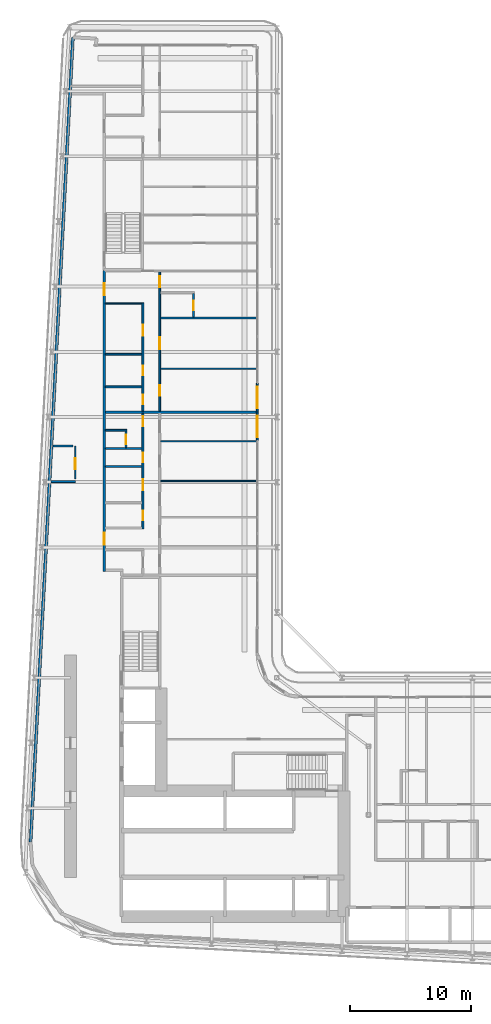
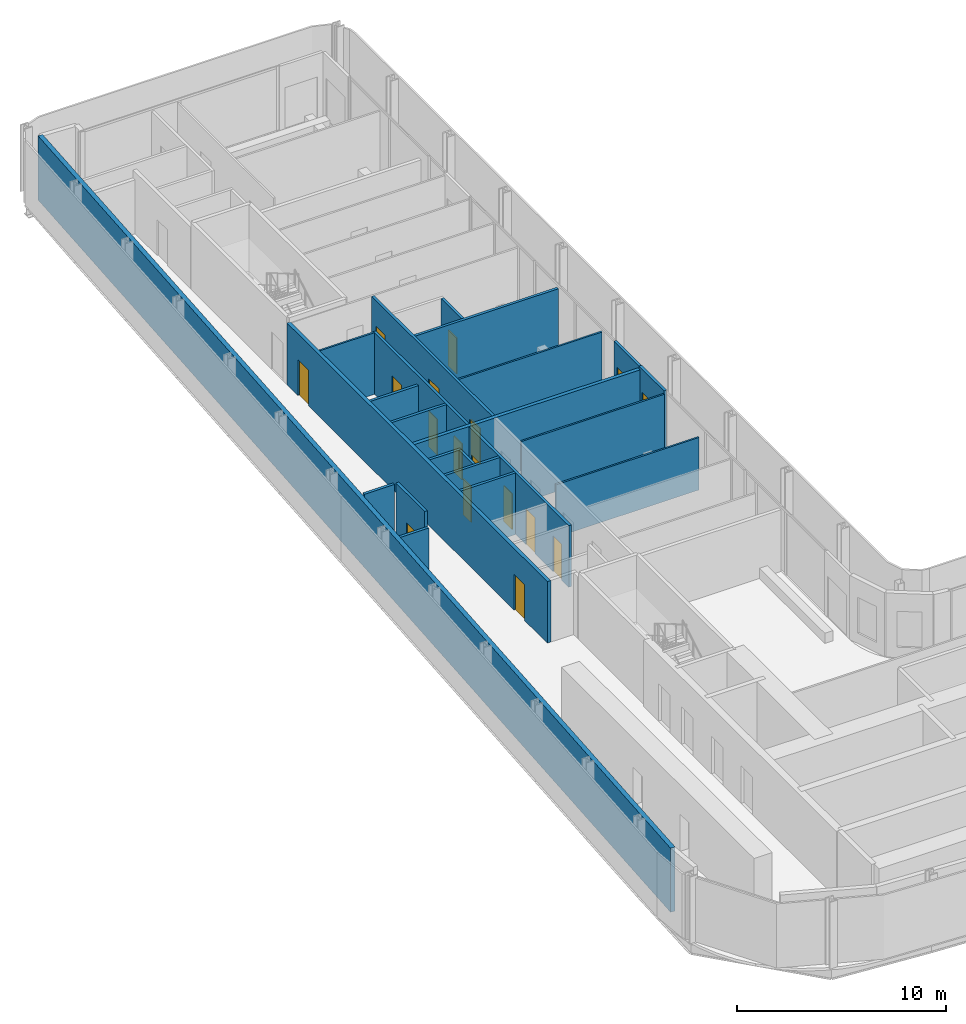
# One storey, part 16 of 25: 23 walls, 17 doors, 17 openings.
"""IFC4 building model written with IfcOpenShell, lengths in metres."""

from ifc_helpers import new_model, si_unit, direction, frame, frame_2d, origin, place, context, subcontext, project, spatial, rectangle, extrude, source, transform, mapped, material, layer, layer_set, type_object, element, fill, save


model = new_model("IFC4")

# Units and contexts
model_context = context("Model", 3, precision=1e-05, world=origin(), true_north=direction((0.0, 1.0)))
body_context = subcontext(model_context, "Body", "Model", "MODEL_VIEW")
ifc_project = project(units=[si_unit("LENGTHUNIT", "METRE"), si_unit("AREAUNIT", "SQUARE_METRE"), si_unit("VOLUMEUNIT", "CUBIC_METRE"), si_unit("PLANEANGLEUNIT", "RADIAN"), si_unit("MASSUNIT", "GRAM", prefix="KILO")], contexts=[model_context])

# Site, building, storey
site_placement = place(None, origin())
site = spatial("IfcSite", under=ifc_project, at=site_placement, CompositionType="ELEMENT")
building_placement = place(site_placement, origin())
building = spatial("IfcBuilding", under=site, at=building_placement, Name="Kheshtan School and Residences Tower", CompositionType="ELEMENT")
storey_placement = place(building_placement, frame((0.0, 0.0, 34.39990234375)))
storey = spatial("IfcBuildingStorey", under=building, at=storey_placement, Name="L07", CompositionType="ELEMENT", Elevation=34.39990234375)

# Wall, openings, doors
ifc_material_1 = material(Name="Gypsum board on steel studs with fire boards", Category="steel")
ifc_layer_1 = layer(ifc_material_1, 0.199951171875)
ifc_layer_set_1 = layer_set([ifc_layer_1], Name="Corridor wall 200")
wall_type_1 = type_object("IfcWallType", Name="Corridor wall 200", PredefinedType="PARTITIONING", material=ifc_layer_set_1)
wall_1_placement = place(storey_placement, frame((33.300048828125, 54.39990234375, 0.0), z_axis=(0.0, 0.0, 1.0), x_axis=(0.0, 1.0, 0.0)))
wall_1 = element("IfcWall", 1, at=wall_1_placement, inside=storey, type_object=wall_type_1, Name="Partition L07-003", PredefinedType="PARTITIONING", context=body_context, shape_type="SweptSolid", body=[
    extrude(rectangle(XDim=24.9501953125, YDim=0.199951171875, at=frame_2d((12.47509765625, 0.0))), origin(), (0.0, 0.0, 1.0), 3.60009765625),
])
opening_1_placement = place(wall_1_placement, frame((2.199951171875, 0.0, 0.0)))
opening_1 = element("IfcOpeningElement", 2, at=opening_1_placement, cuts=wall_1, Name="Opening D06-029", PredefinedType="OPENING", context=body_context, shape_type="SweptSolid", body=[
    extrude(rectangle(XDim=1.0, YDim=2.10009765625, at=frame_2d((0.5, 1.050048828125))), frame((0.0, 0.10986328125, 0.0), z_axis=(0.0, -1.0, 0.0), x_axis=(1.0, 0.0, 0.0)), (0.0, 0.0, 1.0), 0.219970703125),
])
opening_2_placement = place(wall_1_placement, frame((22.89990234375, 0.0, 0.0)))
opening_2 = element("IfcOpeningElement", 3, at=opening_2_placement, cuts=wall_1, Name="Opening D06-040", PredefinedType="OPENING", context=body_context, shape_type="SweptSolid", body=[
    extrude(rectangle(XDim=1.0, YDim=2.10009765625, at=frame_2d((0.5, 1.050048828125))), frame((0.0, 0.10986328125, 0.0), z_axis=(0.0, -1.0, 0.0), x_axis=(1.0, 0.0, 0.0)), (0.0, 0.0, 1.0), 0.219970703125),
])
ifc_material_2 = material(Name="Steel-framed fire-resisting door leaf", Category="steel")
door_type_1 = type_object("IfcDoorType", Name="Fire door FD30S 1000 x 2100", OperationType="SINGLE_SWING_LEFT", PredefinedType="DOOR", material=ifc_material_2)
shared_shape_1 = source(origin(), body_context, "Body", "SweptSolid", [
    extrude(rectangle(XDim=1.0, YDim=2.10009765625, at=frame_2d((0.5, 1.050048828125))), frame((0.0, 0.02490234375, 0.0), z_axis=(0.0, -1.0, 0.0), x_axis=(1.0, 0.0, 0.0)), (0.0, 0.0, 1.0), 0.050048828125),
])
door_1_placement = place(opening_1_placement, origin())
door_1 = element("IfcDoor", 4, at=door_1_placement, inside=storey, type_object=door_type_1, Name="Door D06-029", OperationType="SINGLE_SWING_LEFT", OverallHeight=2.10009765625, OverallWidth=1.0, PredefinedType="DOOR", context=body_context, shape_type="MappedRepresentation", body=[
    mapped(shared_shape_1, transform((0.0, 0.0, 0.0), x_axis=(1.0, 0.0, 0.0), y_axis=(0.0, 1.0, 0.0), z_axis=(0.0, 0.0, 1.0), scale=1.0)),
])
fill(opening_1, door_1)
door_2_placement = place(opening_2_placement, origin())
door_2 = element("IfcDoor", 5, at=door_2_placement, inside=storey, type_object=door_type_1, Name="Door D06-040", OperationType="SINGLE_SWING_RIGHT", OverallHeight=2.10009765625, OverallWidth=1.0, PredefinedType="DOOR", context=body_context, shape_type="MappedRepresentation", body=[
    mapped(shared_shape_1, transform((0.0, 0.0, 0.0), x_axis=(1.0, 0.0, 0.0), y_axis=(0.0, 1.0, 0.0), z_axis=(0.0, 0.0, 1.0), scale=1.0)),
])
fill(opening_2, door_2)

# Wall
ifc_material_3 = material(Name="Concrete C40/50 with ceramic cladding and mineral wool insulation", Category="concrete")
ifc_layer_2 = layer(ifc_material_3, 0.25)
ifc_layer_set_2 = layer_set([ifc_layer_2], Name="External wall 250 ceramic clad")
wall_type_2 = type_object("IfcWallType", Name="External wall 250 ceramic clad", PredefinedType="SOLIDWALL", material=ifc_layer_set_2)
wall_2_placement = place(storey_placement, frame((27.195068359375, 31.968994140625, 0.0), z_axis=(0.0, 0.0, 1.0), x_axis=(0.052554995867, 0.998618031286, 0.0)))
element("IfcWall", 6, at=wall_2_placement, inside=storey, type_object=wall_type_2, Name="External wall L07 4", PredefinedType="SOLIDWALL", context=body_context, shape_type="SweptSolid", body=[
    extrude(rectangle(XDim=66.787353515625, YDim=0.25, at=frame_2d((33.3935546875, 0.0))), origin(), (0.0, 0.0, 1.0), 3.75),
])

# Wall, opening, door
ifc_material_4 = material(Name="Aluminium frame wall with insulated infill", Category="aluminium")
ifc_layer_3 = layer(ifc_material_4, 0.14990234375)
ifc_layer_set_3 = layer_set([ifc_layer_3], Name="Glazing frame wall 150")
wall_type_3 = type_object("IfcWallType", Name="Glazing frame wall 150", PredefinedType="SOLIDWALL", material=ifc_layer_set_3)
wall_3_placement = place(storey_placement, frame((45.97509765625, 70.01806640625, 0.0), z_axis=(0.0, 0.0, 1.0), x_axis=(0.0, -1.0, 0.0)))
wall_3 = element("IfcWall", 7, at=wall_3_placement, inside=storey, type_object=wall_type_3, Name="Balcony door wall L07 8.3", PredefinedType="SOLIDWALL", context=body_context, shape_type="SweptSolid", body=[
    extrude(rectangle(XDim=2.400146484375, YDim=0.14990234375, at=frame_2d((1.2001953125, 0.0))), origin(), (0.0, 0.0, 1.0), 3.75),
])
opening_3_placement = place(wall_3_placement, frame((0.300048828125, 0.0, 0.0)))
opening_3 = element("IfcOpeningElement", 8, at=opening_3_placement, cuts=wall_3, Name="Opening BD", PredefinedType="OPENING", context=body_context, shape_type="SweptSolid", body=[
    extrude(rectangle(XDim=1.800048828125, YDim=2.39990234375, at=frame_2d((0.89990234375, 1.199951171875))), frame((0.0, 0.0849609375, 0.0), z_axis=(0.0, -1.0, 0.0), x_axis=(1.0, 0.0, 0.0)), (0.0, 0.0, 1.0), 0.169921875),
])
ifc_material_5 = material(Name="Clear low-e glass in thermally broken aluminium frame", Category="aluminium")
door_type_2 = type_object("IfcDoorType", Name="Balcony sliding door", OperationType="SLIDING_TO_LEFT", PredefinedType="DOOR", material=ifc_material_5)
shared_shape_2 = source(origin(), body_context, "Body", "SweptSolid", [
    extrude(rectangle(XDim=1.800048828125, YDim=2.39990234375, at=frame_2d((0.89990234375, 1.199951171875))), frame((0.0, 0.02490234375, 0.0), z_axis=(0.0, -1.0, 0.0), x_axis=(1.0, 0.0, 0.0)), (0.0, 0.0, 1.0), 0.050048828125),
])
door_3_placement = place(opening_3_placement, origin())
door_3 = element("IfcDoor", 9, at=door_3_placement, inside=storey, type_object=door_type_2, Name="Balcony door L07 8.3", OperationType="SLIDING_TO_LEFT", OverallHeight=2.39990234375, OverallWidth=1.800048828125, PredefinedType="DOOR", context=body_context, shape_type="MappedRepresentation", body=[
    mapped(shared_shape_2, transform((0.0, 0.0, 0.0), x_axis=(1.0, 0.0, 0.0), y_axis=(0.0, 1.0, 0.0), z_axis=(0.0, 0.0, 1.0), scale=1.0)),
])
fill(opening_3, door_3)

wall_4_placement = place(storey_placement, frame((45.97509765625, 67.617919921875, 0.0), z_axis=(0.0, 0.0, 1.0), x_axis=(0.0, -1.0, 0.0)))
wall_4 = element("IfcWall", 10, at=wall_4_placement, inside=storey, type_object=wall_type_3, Name="Balcony door wall L07 8.4", PredefinedType="SOLIDWALL", context=body_context, shape_type="SweptSolid", body=[
    extrude(rectangle(XDim=2.39990234375, YDim=0.14990234375, at=frame_2d((1.199951171875, 0.0))), origin(), (0.0, 0.0, 1.0), 3.75),
])
opening_4_placement = place(wall_4_placement, frame((0.300048828125, 0.0, 0.0)))
opening_4 = element("IfcOpeningElement", 11, at=opening_4_placement, cuts=wall_4, Name="Opening BD", PredefinedType="OPENING", context=body_context, shape_type="SweptSolid", body=[
    extrude(rectangle(XDim=1.800048828125, YDim=2.39990234375, at=frame_2d((0.89990234375, 1.199951171875))), frame((0.0, 0.0849609375, 0.0), z_axis=(0.0, -1.0, 0.0), x_axis=(1.0, 0.0, 0.0)), (0.0, 0.0, 1.0), 0.169921875),
])
door_4_placement = place(opening_4_placement, origin())
door_4 = element("IfcDoor", 12, at=door_4_placement, inside=storey, type_object=door_type_2, Name="Balcony door L07 8.4", OperationType="SLIDING_TO_LEFT", OverallHeight=2.39990234375, OverallWidth=1.800048828125, PredefinedType="DOOR", context=body_context, shape_type="MappedRepresentation", body=[
    mapped(shared_shape_2, transform((0.0, 0.0, 0.0), x_axis=(1.0, 0.0, 0.0), y_axis=(0.0, 1.0, 0.0), z_axis=(0.0, 0.0, 1.0), scale=1.0)),
])
fill(opening_4, door_4)

# Walls
ifc_material_6 = material(Name="Gypsum board on steel studs", Category="steel")
ifc_layer_4 = layer(ifc_material_6, 0.10009765625)
ifc_layer_set_4 = layer_set([ifc_layer_4], Name="Gypsum partition 100")
wall_type_4 = type_object("IfcWallType", Name="Gypsum partition 100", PredefinedType="PARTITIONING", material=ifc_layer_set_4)
wall_5_placement = place(storey_placement, frame((33.39990234375, 76.60009765625, 0.0), z_axis=(0.0, 0.0, 1.0), x_axis=(1.0, 0.0, 0.0)))
element("IfcWall", 13, at=wall_5_placement, inside=storey, type_object=wall_type_4, Name="Partition L07-015", PredefinedType="PARTITIONING", context=body_context, shape_type="SweptSolid", body=[
    extrude(rectangle(XDim=3.025146484375, YDim=0.10009765625, at=frame_2d((1.5126953125, 0.0))), origin(), (0.0, 0.0, 1.0), 3.60009765625),
])
wall_6_placement = place(storey_placement, frame((37.97509765625, 61.89990234375, 0.0), z_axis=(0.0, 0.0, 1.0), x_axis=(1.0, 0.0, 0.0)))
element("IfcWall", 14, at=wall_6_placement, inside=storey, type_object=wall_type_4, Name="Partition L07-038", PredefinedType="PARTITIONING", context=body_context, shape_type="SweptSolid", body=[
    extrude(rectangle(XDim=7.9248046875, YDim=0.10009765625, at=frame_2d((3.96240234375, 0.0))), origin(), (0.0, 0.0, 1.0), 3.072021484375),
])
for number, where, z_axis, x_axis, name in (
    (15, (37.97509765625, 65.199951171875, 0.0), (0.0, 0.0, 1.0), (1.0, 0.0, 0.0), "Partition L07-039"),
    (16, (37.97509765625, 71.199951171875, 0.0), (0.0, 0.0, 1.0), (1.0, 0.0, 0.0), "Partition L07-040"),
):
    element("IfcWall", number, at=place(storey_placement, frame(where, z_axis=z_axis, x_axis=x_axis)), inside=storey, type_object=wall_type_4, Name=name, PredefinedType="PARTITIONING", context=body_context, shape_type="SweptSolid", body=[
        extrude(rectangle(XDim=7.9248046875, YDim=0.10009765625, at=frame_2d((3.96240234375, 0.0))), origin(), (0.0, 0.0, 1.0), 3.60009765625),
    ])
ifc_material_7 = material(Name="Fire-board shaft wall system")
ifc_layer_5 = layer(ifc_material_7, 0.14990234375)
ifc_layer_set_5 = layer_set([ifc_layer_5], Name="Service room wall 150")
wall_type_5 = type_object("IfcWallType", Name="Service room wall 150", PredefinedType="PARTITIONING", material=ifc_layer_set_5)
wall_7_placement = place(storey_placement, frame((28.89501953125, 61.85107421875, 0.0), z_axis=(0.0, 0.0, 1.0), x_axis=(1.0, 0.0, 0.0)))
element("IfcWall", 17, at=wall_7_placement, inside=storey, type_object=wall_type_5, Name="Service room wall", PredefinedType="PARTITIONING", context=body_context, shape_type="SweptSolid", body=[
    extrude(rectangle(XDim=2.0048828125, YDim=0.14990234375, at=frame_2d((1.00244140625, 0.0))), origin(), (0.0, 0.0, 1.0), 3.072021484375),
])

# Wall, opening, door
wall_8_placement = place(storey_placement, frame((30.89990234375, 62.0458984375, 0.0), z_axis=(0.0, 0.0, 1.0), x_axis=(0.0, 1.0, 0.0)))
wall_8 = element("IfcWall", 18, at=wall_8_placement, inside=storey, type_object=wall_type_5, Name="Service room wall", PredefinedType="PARTITIONING", context=body_context, shape_type="SweptSolid", body=[
    extrude(rectangle(XDim=2.754150390625, YDim=0.14990234375, at=frame_2d((1.376953125, 0.0))), origin(), (0.0, 0.0, 1.0), 3.900146484375),
])
opening_5_placement = place(wall_8_placement, frame((0.830078125, 0.0, 0.0)))
opening_5 = element("IfcOpeningElement", 19, at=opening_5_placement, cuts=wall_8, Name="Opening SR90", PredefinedType="OPENING", context=body_context, shape_type="SweptSolid", body=[
    extrude(rectangle(XDim=0.89990234375, YDim=2.199951171875, at=frame_2d((0.449951171875, 1.10009765625))), frame((0.0, 0.0849609375, 0.0), z_axis=(0.0, -1.0, 0.0), x_axis=(1.0, 0.0, 0.0)), (0.0, 0.0, 1.0), 0.169921875),
])
ifc_material_8 = material(Name="Steel door leaf, galvanised", Category="steel")
door_type_3 = type_object("IfcDoorType", Name="Service room door 900 steel 90 min", OperationType="SINGLE_SWING_LEFT", PredefinedType="DOOR", material=ifc_material_8)
shared_shape_3 = source(origin(), body_context, "Body", "SweptSolid", [
    extrude(rectangle(XDim=0.89990234375, YDim=2.199951171875, at=frame_2d((0.449951171875, 1.10009765625))), frame((0.0, 0.02490234375, 0.0), z_axis=(0.0, -1.0, 0.0), x_axis=(1.0, 0.0, 0.0)), (0.0, 0.0, 1.0), 0.050048828125),
])
door_5_placement = place(opening_5_placement, origin())
door_5 = element("IfcDoor", 20, at=door_5_placement, inside=storey, type_object=door_type_3, Name="Service room door", OperationType="SINGLE_SWING_LEFT", OverallHeight=2.199951171875, OverallWidth=0.89990234375, PredefinedType="DOOR", context=body_context, shape_type="MappedRepresentation", body=[
    mapped(shared_shape_3, transform((0.0, 0.0, 0.0), x_axis=(1.0, 0.0, 0.0), y_axis=(0.0, 1.0, 0.0), z_axis=(0.0, 0.0, 1.0), scale=1.0)),
])
fill(opening_5, door_5)

# Walls
wall_9_placement = place(storey_placement, frame((29.050048828125, 64.800048828125, 0.0), z_axis=(0.0, 0.0, 1.0), x_axis=(1.0, 0.0, 0.0)))
element("IfcWall", 21, at=wall_9_placement, inside=storey, type_object=wall_type_5, Name="Service room wall", PredefinedType="PARTITIONING", context=body_context, shape_type="SweptSolid", body=[
    extrude(rectangle(XDim=1.655029296875, YDim=0.14990234375, at=frame_2d((0.82763671875, 0.0))), origin(), (0.0, 0.0, 1.0), 3.900146484375),
])
ifc_material_9 = material(Name="Twin gypsum board on steel studs with mineral wool", Category="steel")
ifc_layer_6 = layer(ifc_material_9, 0.199951171875)
ifc_layer_set_6 = layer_set([ifc_layer_6], Name="Unit demising wall 200")
wall_type_6 = type_object("IfcWallType", Name="Unit demising wall 200", PredefinedType="PARTITIONING", material=ifc_layer_set_6)
wall_10_placement = place(storey_placement, frame((33.39990234375, 67.60009765625, 0.0), z_axis=(0.0, 0.0, 1.0), x_axis=(1.0, 0.0, 0.0)))
element("IfcWall", 22, at=wall_10_placement, inside=storey, type_object=wall_type_6, Name="Partition L07-012", PredefinedType="PARTITIONING", context=body_context, shape_type="SweptSolid", body=[
    extrude(rectangle(XDim=12.5, YDim=0.199951171875, at=frame_2d((6.25, 0.0))), origin(), (0.0, 0.0, 1.0), 3.60009765625),
])
ifc_material_10 = material(Name="Moisture-resistant gypsum board on steel studs", Category="steel")
ifc_layer_7 = layer(ifc_material_10, 0.14990234375)
ifc_layer_set_7 = layer_set([ifc_layer_7], Name="Wet-room partition 150")
wall_type_7 = type_object("IfcWallType", Name="Wet-room partition 150", PredefinedType="PARTITIONING", material=ifc_layer_set_7)
for number, where, z_axis, x_axis, name in (
    (23, (33.39990234375, 63.10009765625, 0.0), (0.0, 0.0, 1.0), (1.0, 0.0, 0.0), "Partition L07-009"),
    (24, (33.39990234375, 64.60009765625, 0.0), (0.0, 0.0, 1.0), (1.0, 0.0, 0.0), "Partition L07-010"),
):
    element("IfcWall", number, at=place(storey_placement, frame(where, z_axis=z_axis, x_axis=x_axis)), inside=storey, type_object=wall_type_7, Name=name, PredefinedType="PARTITIONING", context=body_context, shape_type="SweptSolid", body=[
        extrude(rectangle(XDim=3.025146484375, YDim=0.14990234375, at=frame_2d((1.5126953125, 0.0))), origin(), (0.0, 0.0, 1.0), 3.60009765625),
    ])
wall_11_placement = place(storey_placement, frame((33.39990234375, 66.10009765625, 0.0), z_axis=(0.0, 0.0, 1.0), x_axis=(1.0, 0.0, 0.0)))
element("IfcWall", 25, at=wall_11_placement, inside=storey, type_object=wall_type_7, Name="Partition L07-011", PredefinedType="PARTITIONING", context=body_context, shape_type="SweptSolid", body=[
    extrude(rectangle(XDim=1.775146484375, YDim=0.14990234375, at=frame_2d((0.8876953125, 0.0))), origin(), (0.0, 0.0, 1.0), 3.60009765625),
])
wall_12_placement = place(storey_placement, frame((33.39990234375, 69.699951171875, 0.0), z_axis=(0.0, 0.0, 1.0), x_axis=(1.0, 0.0, 0.0)))
element("IfcWall", 26, at=wall_12_placement, inside=storey, type_object=wall_type_7, Name="Partition L07-013", PredefinedType="PARTITIONING", context=body_context, shape_type="SweptSolid", body=[
    extrude(rectangle(XDim=3.025146484375, YDim=0.14990234375, at=frame_2d((1.5126953125, 0.0))), origin(), (0.0, 0.0, 1.0), 3.60009765625),
])
wall_13_placement = place(storey_placement, frame((33.39990234375, 72.39990234375, 0.0), z_axis=(0.0, 0.0, 1.0), x_axis=(1.0, 0.0, 0.0)))
element("IfcWall", 27, at=wall_13_placement, inside=storey, type_object=wall_type_7, Name="Partition L07-014", PredefinedType="PARTITIONING", context=body_context, shape_type="SweptSolid", body=[
    extrude(rectangle(XDim=3.025146484375, YDim=0.14990234375, at=frame_2d((1.5126953125, 0.0))), origin(), (0.0, 0.0, 1.0), 3.072021484375),
])

# Wall, opening, door
wall_14_placement = place(storey_placement, frame((35.10009765625, 64.675048828125, 0.0), z_axis=(0.0, 0.0, 1.0), x_axis=(0.0, 1.0, 0.0)))
wall_14 = element("IfcWall", 28, at=wall_14_placement, inside=storey, type_object=wall_type_7, Name="Partition L07-021", PredefinedType="PARTITIONING", context=body_context, shape_type="SweptSolid", body=[
    extrude(rectangle(XDim=1.349853515625, YDim=0.14990234375, at=frame_2d((0.6748046875, 0.0))), origin(), (0.0, 0.0, 1.0), 3.60009765625),
])
opening_6_placement = place(wall_14_placement, frame((0.27490234375, 0.0, 0.0)))
opening_6 = element("IfcOpeningElement", 29, at=opening_6_placement, cuts=wall_14, Name="Opening D06-033", PredefinedType="OPENING", context=body_context, shape_type="SweptSolid", body=[
    extrude(rectangle(XDim=0.800048828125, YDim=2.10009765625, at=frame_2d((0.39990234375, 1.050048828125))), frame((0.0, 0.0849609375, 0.0), z_axis=(0.0, -1.0, 0.0), x_axis=(1.0, 0.0, 0.0)), (0.0, 0.0, 1.0), 0.169921875),
])
ifc_material_11 = material(Name="Veneered timber door leaf", Category="wood")
door_type_4 = type_object("IfcDoorType", Name="Door 800 x 2100", OperationType="SINGLE_SWING_LEFT", PredefinedType="DOOR", material=ifc_material_11)
shared_shape_4 = source(origin(), body_context, "Body", "SweptSolid", [
    extrude(rectangle(XDim=0.800048828125, YDim=2.10009765625, at=frame_2d((0.39990234375, 1.050048828125))), frame((0.0, 0.02490234375, 0.0), z_axis=(0.0, -1.0, 0.0), x_axis=(1.0, 0.0, 0.0)), (0.0, 0.0, 1.0), 0.050048828125),
])
door_6_placement = place(opening_6_placement, origin())
door_6 = element("IfcDoor", 30, at=door_6_placement, inside=storey, type_object=door_type_4, Name="Door D06-033", OperationType="SINGLE_SWING_LEFT", OverallHeight=2.10009765625, OverallWidth=0.800048828125, PredefinedType="DOOR", context=body_context, shape_type="MappedRepresentation", body=[
    mapped(shared_shape_4, transform((0.0, 0.0, 0.0), x_axis=(1.0, 0.0, 0.0), y_axis=(0.0, 1.0, 0.0), z_axis=(0.0, 0.0, 1.0), scale=1.0)),
])
fill(opening_6, door_6)

# Wall, openings, doors
wall_15_placement = place(storey_placement, frame((36.5, 57.925048828125, 0.0), z_axis=(0.0, 0.0, 1.0), x_axis=(0.0, 1.0, 0.0)))
wall_15 = element("IfcWall", 31, at=wall_15_placement, inside=storey, type_object=wall_type_7, Name="Partition L07-025", PredefinedType="PARTITIONING", context=body_context, shape_type="SweptSolid", body=[
    extrude(rectangle(XDim=9.574951171875, YDim=0.14990234375, at=frame_2d((4.78759765625, 0.0))), origin(), (0.0, 0.0, 1.0), 3.60009765625),
])
opening_7_placement = place(wall_15_placement, frame((0.72509765625, 0.0, 0.0)))
opening_7 = element("IfcOpeningElement", 32, at=opening_7_placement, cuts=wall_15, Name="Opening D06-026", PredefinedType="OPENING", context=body_context, shape_type="SweptSolid", body=[
    extrude(rectangle(XDim=0.800048828125, YDim=2.10009765625, at=frame_2d((0.39990234375, 1.050048828125))), frame((0.0, 0.0849609375, 0.0), z_axis=(0.0, -1.0, 0.0), x_axis=(1.0, 0.0, 0.0)), (0.0, 0.0, 1.0), 0.169921875),
])
opening_8_placement = place(wall_15_placement, frame((3.22509765625, 0.0, 0.0)))
opening_8 = element("IfcOpeningElement", 33, at=opening_8_placement, cuts=wall_15, Name="Opening D06-030", PredefinedType="OPENING", context=body_context, shape_type="SweptSolid", body=[
    extrude(rectangle(XDim=0.89990234375, YDim=2.10009765625, at=frame_2d((0.449951171875, 1.050048828125))), frame((0.0, 0.0849609375, 0.0), z_axis=(0.0, -1.0, 0.0), x_axis=(1.0, 0.0, 0.0)), (0.0, 0.0, 1.0), 0.169921875),
])
opening_9_placement = place(wall_15_placement, frame((8.52490234375, 0.0, 0.0)))
opening_9 = element("IfcOpeningElement", 34, at=opening_9_placement, cuts=wall_15, Name="Opening D06-032", PredefinedType="OPENING", context=body_context, shape_type="SweptSolid", body=[
    extrude(rectangle(XDim=0.800048828125, YDim=2.10009765625, at=frame_2d((0.39990234375, 1.050048828125))), frame((0.0, 0.0849609375, 0.0), z_axis=(0.0, -1.0, 0.0), x_axis=(1.0, 0.0, 0.0)), (0.0, 0.0, 1.0), 0.169921875),
])
opening_10_placement = place(wall_15_placement, frame((5.52490234375, 0.0, 0.0)))
opening_10 = element("IfcOpeningElement", 35, at=opening_10_placement, cuts=wall_15, Name="Opening D06-036", PredefinedType="OPENING", context=body_context, shape_type="SweptSolid", body=[
    extrude(rectangle(XDim=0.800048828125, YDim=2.10009765625, at=frame_2d((0.39990234375, 1.050048828125))), frame((0.0, 0.0849609375, 0.0), z_axis=(0.0, -1.0, 0.0), x_axis=(1.0, 0.0, 0.0)), (0.0, 0.0, 1.0), 0.169921875),
])
door_7_placement = place(opening_7_placement, origin())
door_7 = element("IfcDoor", 36, at=door_7_placement, inside=storey, type_object=door_type_4, Name="Door D06-026", OperationType="SINGLE_SWING_LEFT", OverallHeight=2.10009765625, OverallWidth=0.800048828125, PredefinedType="DOOR", context=body_context, shape_type="MappedRepresentation", body=[
    mapped(shared_shape_4, transform((0.0, 0.0, 0.0), x_axis=(1.0, 0.0, 0.0), y_axis=(0.0, 1.0, 0.0), z_axis=(0.0, 0.0, 1.0), scale=1.0)),
])
fill(opening_7, door_7)
door_8_placement = place(opening_9_placement, origin())
door_8 = element("IfcDoor", 37, at=door_8_placement, inside=storey, type_object=door_type_4, Name="Door D06-032", OperationType="SINGLE_SWING_RIGHT", OverallHeight=2.10009765625, OverallWidth=0.800048828125, PredefinedType="DOOR", context=body_context, shape_type="MappedRepresentation", body=[
    mapped(shared_shape_4, transform((0.0, 0.0, 0.0), x_axis=(1.0, 0.0, 0.0), y_axis=(0.0, 1.0, 0.0), z_axis=(0.0, 0.0, 1.0), scale=1.0)),
])
fill(opening_9, door_8)
door_9_placement = place(opening_10_placement, origin())
door_9 = element("IfcDoor", 38, at=door_9_placement, inside=storey, type_object=door_type_4, Name="Door D06-036", OperationType="SINGLE_SWING_LEFT", OverallHeight=2.10009765625, OverallWidth=0.800048828125, PredefinedType="DOOR", context=body_context, shape_type="MappedRepresentation", body=[
    mapped(shared_shape_4, transform((0.0, 0.0, 0.0), x_axis=(1.0, 0.0, 0.0), y_axis=(0.0, 1.0, 0.0), z_axis=(0.0, 0.0, 1.0), scale=1.0)),
])
fill(opening_10, door_9)
door_type_5 = type_object("IfcDoorType", Name="Door 900 x 2100", OperationType="SINGLE_SWING_LEFT", PredefinedType="DOOR", material=ifc_material_11)
shared_shape_5 = source(origin(), body_context, "Body", "SweptSolid", [
    extrude(rectangle(XDim=0.89990234375, YDim=2.10009765625, at=frame_2d((0.449951171875, 1.050048828125))), frame((0.0, 0.02490234375, 0.0), z_axis=(0.0, -1.0, 0.0), x_axis=(1.0, 0.0, 0.0)), (0.0, 0.0, 1.0), 0.050048828125),
])
door_10_placement = place(opening_8_placement, origin())
door_10 = element("IfcDoor", 39, at=door_10_placement, inside=storey, type_object=door_type_5, Name="Door D06-030", OperationType="SINGLE_SWING_RIGHT", OverallHeight=2.10009765625, OverallWidth=0.89990234375, PredefinedType="DOOR", context=body_context, shape_type="MappedRepresentation", body=[
    mapped(shared_shape_5, transform((0.0, 0.0, 0.0), x_axis=(1.0, 0.0, 0.0), y_axis=(0.0, 1.0, 0.0), z_axis=(0.0, 0.0, 1.0), scale=1.0)),
])
fill(opening_8, door_10)

wall_16_placement = place(storey_placement, frame((36.5, 67.699951171875, 0.0), z_axis=(0.0, 0.0, 1.0), x_axis=(0.0, 1.0, 0.0)))
wall_16 = element("IfcWall", 40, at=wall_16_placement, inside=storey, type_object=wall_type_7, Name="Partition L07-026", PredefinedType="PARTITIONING", context=body_context, shape_type="SweptSolid", body=[
    extrude(rectangle(XDim=8.949951171875, YDim=0.14990234375, at=frame_2d((4.47509765625, 0.0))), origin(), (0.0, 0.0, 1.0), 3.60009765625),
])
opening_11_placement = place(wall_16_placement, frame((2.949951171875, 0.0, 0.0)))
opening_11 = element("IfcOpeningElement", 41, at=opening_11_placement, cuts=wall_16, Name="Opening D06-037", PredefinedType="OPENING", context=body_context, shape_type="SweptSolid", body=[
    extrude(rectangle(XDim=0.800048828125, YDim=2.10009765625, at=frame_2d((0.39990234375, 1.050048828125))), frame((0.0, 0.0849609375, 0.0), z_axis=(0.0, -1.0, 0.0), x_axis=(1.0, 0.0, 0.0)), (0.0, 0.0, 1.0), 0.169921875),
])
opening_12_placement = place(wall_16_placement, frame((6.25, 0.0, 0.0)))
opening_12 = element("IfcOpeningElement", 42, at=opening_12_placement, cuts=wall_16, Name="Opening D06-041", PredefinedType="OPENING", context=body_context, shape_type="SweptSolid", body=[
    extrude(rectangle(XDim=0.89990234375, YDim=2.10009765625, at=frame_2d((0.449951171875, 1.050048828125))), frame((0.0, 0.0849609375, 0.0), z_axis=(0.0, -1.0, 0.0), x_axis=(1.0, 0.0, 0.0)), (0.0, 0.0, 1.0), 0.169921875),
])
opening_13_placement = place(wall_16_placement, frame((0.550048828125, 0.0, 0.0)))
opening_13 = element("IfcOpeningElement", 43, at=opening_13_placement, cuts=wall_16, Name="Opening D06-044", PredefinedType="OPENING", context=body_context, shape_type="SweptSolid", body=[
    extrude(rectangle(XDim=0.800048828125, YDim=2.10009765625, at=frame_2d((0.39990234375, 1.050048828125))), frame((0.0, 0.0849609375, 0.0), z_axis=(0.0, -1.0, 0.0), x_axis=(1.0, 0.0, 0.0)), (0.0, 0.0, 1.0), 0.169921875),
])
door_11_placement = place(opening_11_placement, origin())
door_11 = element("IfcDoor", 44, at=door_11_placement, inside=storey, type_object=door_type_4, Name="Door D06-037", OperationType="SINGLE_SWING_RIGHT", OverallHeight=2.10009765625, OverallWidth=0.800048828125, PredefinedType="DOOR", context=body_context, shape_type="MappedRepresentation", body=[
    mapped(shared_shape_4, transform((0.0, 0.0, 0.0), x_axis=(1.0, 0.0, 0.0), y_axis=(0.0, 1.0, 0.0), z_axis=(0.0, 0.0, 1.0), scale=1.0)),
])
fill(opening_11, door_11)
door_12_placement = place(opening_13_placement, origin())
door_12 = element("IfcDoor", 45, at=door_12_placement, inside=storey, type_object=door_type_4, Name="Door D06-044", OperationType="SINGLE_SWING_RIGHT", OverallHeight=2.10009765625, OverallWidth=0.800048828125, PredefinedType="DOOR", context=body_context, shape_type="MappedRepresentation", body=[
    mapped(shared_shape_4, transform((0.0, 0.0, 0.0), x_axis=(1.0, 0.0, 0.0), y_axis=(0.0, 1.0, 0.0), z_axis=(0.0, 0.0, 1.0), scale=1.0)),
])
fill(opening_13, door_12)
door_13_placement = place(opening_12_placement, origin())
door_13 = element("IfcDoor", 46, at=door_13_placement, inside=storey, type_object=door_type_5, Name="Door D06-041", OperationType="SINGLE_SWING_RIGHT", OverallHeight=2.10009765625, OverallWidth=0.89990234375, PredefinedType="DOOR", context=body_context, shape_type="MappedRepresentation", body=[
    mapped(shared_shape_5, transform((0.0, 0.0, 0.0), x_axis=(1.0, 0.0, 0.0), y_axis=(0.0, 1.0, 0.0), z_axis=(0.0, 0.0, 1.0), scale=1.0)),
])
fill(opening_12, door_13)

wall_17_placement = place(storey_placement, frame((37.89990234375, 67.699951171875, 0.0), z_axis=(0.0, 0.0, 1.0), x_axis=(0.0, 1.0, 0.0)))
wall_17 = element("IfcWall", 47, at=wall_17_placement, inside=storey, type_object=wall_type_7, Name="Partition L07-033", PredefinedType="PARTITIONING", context=body_context, shape_type="SweptSolid", body=[
    extrude(rectangle(XDim=11.550048828125, YDim=0.14990234375, at=frame_2d((5.77490234375, 0.0))), origin(), (0.0, 0.0, 1.0), 3.60009765625),
])
opening_14_placement = place(wall_17_placement, frame((1.25, 0.0, 0.0)))
opening_14 = element("IfcOpeningElement", 48, at=opening_14_placement, cuts=wall_17, Name="Opening D06-038", PredefinedType="OPENING", context=body_context, shape_type="SweptSolid", body=[
    extrude(rectangle(XDim=0.89990234375, YDim=2.10009765625, at=frame_2d((0.449951171875, 1.050048828125))), frame((0.0, 0.0849609375, 0.0), z_axis=(0.0, -1.0, 0.0), x_axis=(1.0, 0.0, 0.0)), (0.0, 0.0, 1.0), 0.169921875),
])
opening_15_placement = place(wall_17_placement, frame((5.10009765625, 0.0, 0.0)))
opening_15 = element("IfcOpeningElement", 49, at=opening_15_placement, cuts=wall_17, Name="Opening D06-042", PredefinedType="OPENING", context=body_context, shape_type="SweptSolid", body=[
    extrude(rectangle(XDim=1.0, YDim=2.10009765625, at=frame_2d((0.5, 1.050048828125))), frame((0.0, 0.0849609375, 0.0), z_axis=(0.0, -1.0, 0.0), x_axis=(1.0, 0.0, 0.0)), (0.0, 0.0, 1.0), 0.169921875),
])
opening_16_placement = place(wall_17_placement, frame((10.25, 0.0, 0.0)))
opening_16 = element("IfcOpeningElement", 50, at=opening_16_placement, cuts=wall_17, Name="Opening D06-043", PredefinedType="OPENING", context=body_context, shape_type="SweptSolid", body=[
    extrude(rectangle(XDim=0.89990234375, YDim=2.10009765625, at=frame_2d((0.449951171875, 1.050048828125))), frame((0.0, 0.0849609375, 0.0), z_axis=(0.0, -1.0, 0.0), x_axis=(1.0, 0.0, 0.0)), (0.0, 0.0, 1.0), 0.169921875),
])
door_type_6 = type_object("IfcDoorType", Name="Door 1000 x 2100", OperationType="SINGLE_SWING_LEFT", PredefinedType="DOOR", material=ifc_material_11)
shared_shape_6 = source(origin(), body_context, "Body", "SweptSolid", [
    extrude(rectangle(XDim=1.0, YDim=2.10009765625, at=frame_2d((0.5, 1.050048828125))), frame((0.0, 0.02490234375, 0.0), z_axis=(0.0, -1.0, 0.0), x_axis=(1.0, 0.0, 0.0)), (0.0, 0.0, 1.0), 0.050048828125),
])
door_14_placement = place(opening_15_placement, origin())
door_14 = element("IfcDoor", 51, at=door_14_placement, inside=storey, type_object=door_type_6, Name="Door D06-042", OperationType="SINGLE_SWING_LEFT", OverallHeight=2.10009765625, OverallWidth=1.0, PredefinedType="DOOR", context=body_context, shape_type="MappedRepresentation", body=[
    mapped(shared_shape_6, transform((0.0, 0.0, 0.0), x_axis=(1.0, 0.0, 0.0), y_axis=(0.0, 1.0, 0.0), z_axis=(0.0, 0.0, 1.0), scale=1.0)),
])
fill(opening_15, door_14)
door_15_placement = place(opening_14_placement, origin())
door_15 = element("IfcDoor", 52, at=door_15_placement, inside=storey, type_object=door_type_5, Name="Door D06-038", OperationType="SINGLE_SWING_LEFT", OverallHeight=2.10009765625, OverallWidth=0.89990234375, PredefinedType="DOOR", context=body_context, shape_type="MappedRepresentation", body=[
    mapped(shared_shape_5, transform((0.0, 0.0, 0.0), x_axis=(1.0, 0.0, 0.0), y_axis=(0.0, 1.0, 0.0), z_axis=(0.0, 0.0, 1.0), scale=1.0)),
])
fill(opening_14, door_15)
door_16_placement = place(opening_16_placement, origin())
door_16 = element("IfcDoor", 53, at=door_16_placement, inside=storey, type_object=door_type_5, Name="Door D06-043", OperationType="SINGLE_SWING_RIGHT", OverallHeight=2.10009765625, OverallWidth=0.89990234375, PredefinedType="DOOR", context=body_context, shape_type="MappedRepresentation", body=[
    mapped(shared_shape_5, transform((0.0, 0.0, 0.0), x_axis=(1.0, 0.0, 0.0), y_axis=(0.0, 1.0, 0.0), z_axis=(0.0, 0.0, 1.0), scale=1.0)),
])
fill(opening_16, door_16)

# Wall
wall_18_placement = place(storey_placement, frame((37.97509765625, 75.39990234375, 0.0), z_axis=(0.0, 0.0, 1.0), x_axis=(1.0, 0.0, 0.0)))
element("IfcWall", 54, at=wall_18_placement, inside=storey, type_object=wall_type_7, Name="Partition L07-041", PredefinedType="PARTITIONING", context=body_context, shape_type="SweptSolid", body=[
    extrude(rectangle(XDim=7.9248046875, YDim=0.14990234375, at=frame_2d((3.96240234375, 0.0))), origin(), (0.0, 0.0, 1.0), 3.60009765625),
])

# Wall, opening, door
wall_19_placement = place(storey_placement, frame((40.699951171875, 75.47509765625, 0.0), z_axis=(0.0, 0.0, 1.0), x_axis=(0.0, 1.0, 0.0)))
wall_19 = element("IfcWall", 55, at=wall_19_placement, inside=storey, type_object=wall_type_7, Name="Partition L07-044", PredefinedType="PARTITIONING", context=body_context, shape_type="SweptSolid", body=[
    extrude(rectangle(XDim=1.949951171875, YDim=0.14990234375, at=frame_2d((0.97509765625, 0.0))), origin(), (0.0, 0.0, 1.0), 3.60009765625),
])
opening_17_placement = place(wall_19_placement, frame((0.574951171875, 0.0, 0.0)))
opening_17 = element("IfcOpeningElement", 56, at=opening_17_placement, cuts=wall_19, Name="Opening D06-039", PredefinedType="OPENING", context=body_context, shape_type="SweptSolid", body=[
    extrude(rectangle(XDim=0.800048828125, YDim=2.10009765625, at=frame_2d((0.39990234375, 1.050048828125))), frame((0.0, 0.0849609375, 0.0), z_axis=(0.0, -1.0, 0.0), x_axis=(1.0, 0.0, 0.0)), (0.0, 0.0, 1.0), 0.169921875),
])
door_17_placement = place(opening_17_placement, origin())
door_17 = element("IfcDoor", 57, at=door_17_placement, inside=storey, type_object=door_type_4, Name="Door D06-039", OperationType="SINGLE_SWING_RIGHT", OverallHeight=2.10009765625, OverallWidth=0.800048828125, PredefinedType="DOOR", context=body_context, shape_type="MappedRepresentation", body=[
    mapped(shared_shape_4, transform((0.0, 0.0, 0.0), x_axis=(1.0, 0.0, 0.0), y_axis=(0.0, 1.0, 0.0), z_axis=(0.0, 0.0, 1.0), scale=1.0)),
])
fill(opening_17, door_17)

save(model, "model.ifc")
